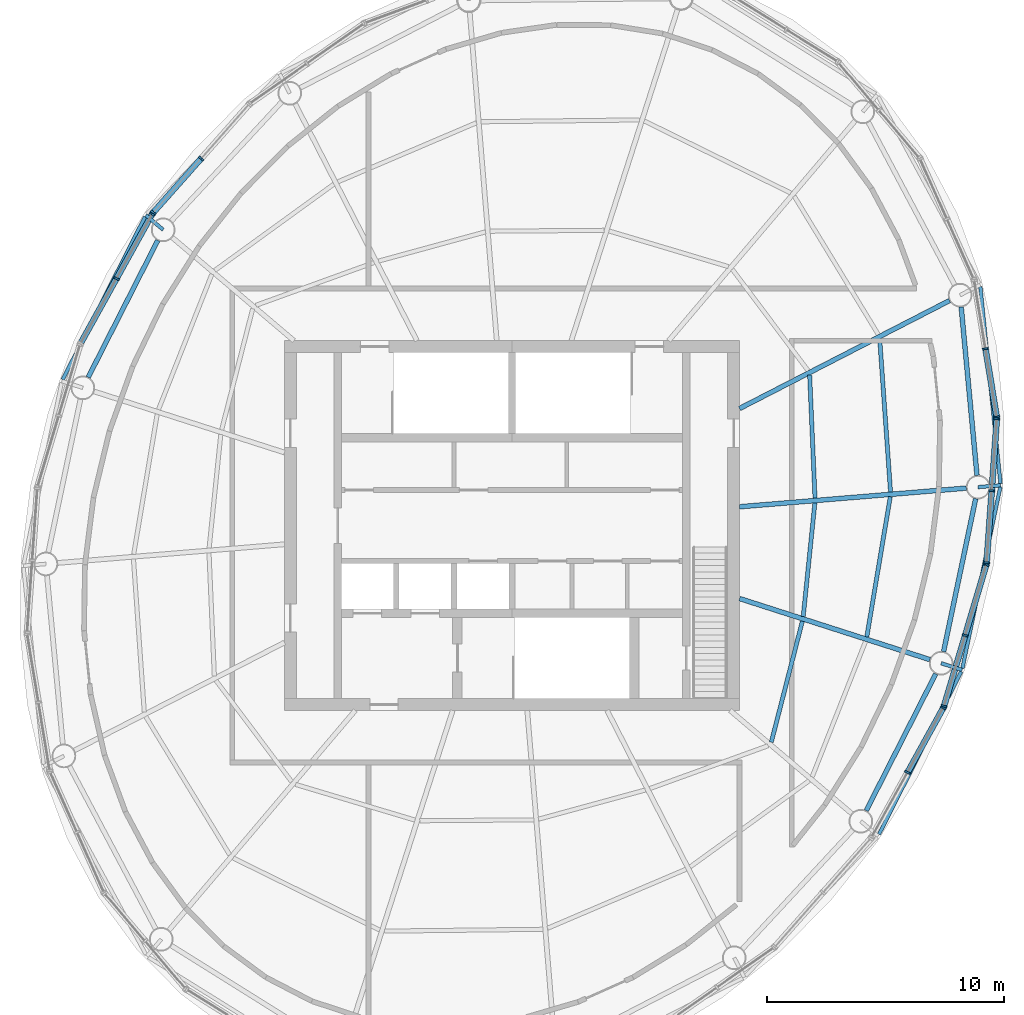
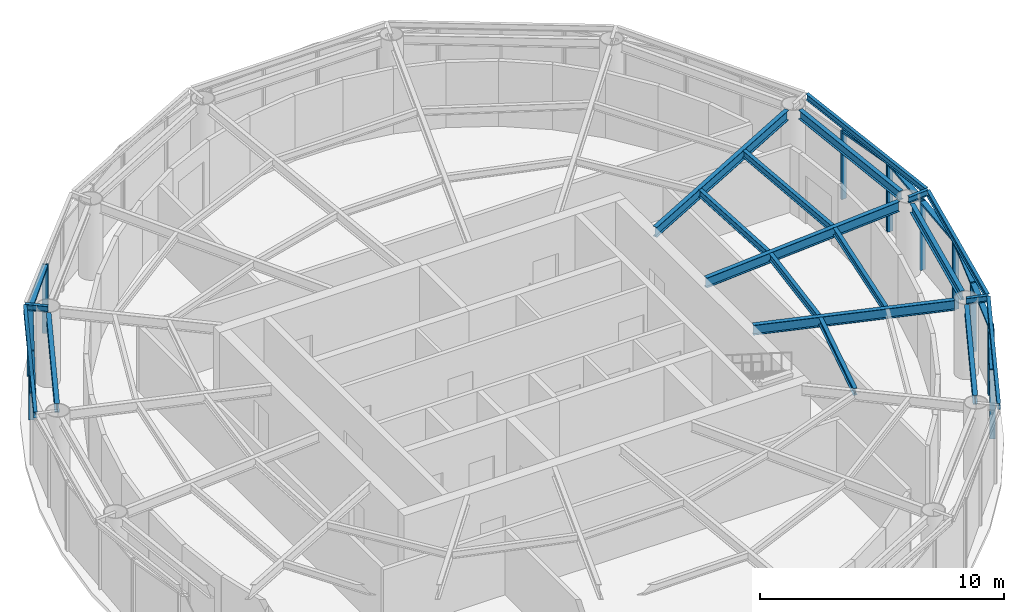
# One storey, part 4 of 11: 23 members, 19 beams, 6 elements without a shape of their own.
"""IFC4 building model written with IfcOpenShell, lengths in metres."""

from ifc_helpers import new_model, si_unit, direction, frame, origin, origin_2d, place, context, subcontext, project, spatial, rectangle, i_section, extrude, material, material_profile, profile_set, type_object, element, aggregate, save


model = new_model("IFC4")

# Units and contexts
model_context = context("Model", 3, precision=1e-05, world=origin(), true_north=direction((0.0, 1.0)))
body_context = subcontext(model_context, "Body", "Model", "MODEL_VIEW")
ifc_project = project(units=[si_unit("LENGTHUNIT", "METRE"), si_unit("AREAUNIT", "SQUARE_METRE"), si_unit("VOLUMEUNIT", "CUBIC_METRE"), si_unit("PLANEANGLEUNIT", "RADIAN"), si_unit("MASSUNIT", "GRAM", prefix="KILO")], contexts=[model_context])

# Site, building, storey
site_placement = place(None, origin())
site = spatial("IfcSite", under=ifc_project, at=site_placement, CompositionType="ELEMENT")
building_placement = place(site_placement, origin())
building = spatial("IfcBuilding", under=site, at=building_placement, Name="Vermilion Reach Broadcast Tower", CompositionType="ELEMENT")
storey_placement = place(building_placement, frame((0.0, 0.0, 325.5)))
storey = spatial("IfcBuildingStorey", under=building, at=storey_placement, Name="L81 CROWN", CompositionType="ELEMENT", Elevation=325.5)

# Curtain wall, members
ifc_material_1 = material(Name="Low-e laminated clear glass in aluminium frame", Category="aluminium")
curtain_wall_type = type_object("IfcCurtainWallType", Name="Crown glazing curtain wall", PredefinedType="NOTDEFINED", material=ifc_material_1)
placement = place(storey_placement, origin())
curtain_wall_1 = element("IfcCurtainWall", 1, at=placement, inside=storey, type_object=curtain_wall_type, Name="Crown glazing L81 CROWN 05", PredefinedType="NOTDEFINED")
ifc_material_2 = material(Name="Anodised aluminium", Category="aluminium")
ifc_material_profile_1 = material_profile(ifc_material_2, rectangle(XDim=0.25, YDim=0.080078125, at=origin_2d()), Name="Crown glazing mullion 80 x 250")
ifc_profile_set_1 = profile_set([ifc_material_profile_1], Name="Anodised aluminium")
member_type_1 = type_object("IfcMemberType", Name="Crown glazing mullion 80 x 250", PredefinedType="MULLION", material=ifc_profile_set_1)
member_1_placement = place(storey_placement, frame((-19.11669921875, 15.484619140625, 0.0), z_axis=(0.0, 0.0, 1.0), x_axis=(0.748407682668, -0.663238976934, 0.0)))
member_1 = element("IfcMember", 2, at=member_1_placement, type_object=member_type_1, Name="Crown glazing mullion L81 CROWN 05.2", PredefinedType="MULLION", context=body_context, shape_type="SweptSolid", body=[
    extrude(rectangle(XDim=0.25, YDim=0.080078125, at=origin_2d()), origin(), (0.0, 0.0, 1.0), 3.449951171875),
])
member_2_placement = place(storey_placement, frame((-21.135498046875, 13.20654296875, 0.0), z_axis=(0.0, 0.0, 1.0), x_axis=(0.748407682668, -0.663238976934, 0.0)))
member_2 = element("IfcMember", 3, at=member_2_placement, type_object=member_type_1, Name="Crown glazing mullion L81 CROWN 05.3", PredefinedType="MULLION", context=body_context, shape_type="SweptSolid", body=[
    extrude(rectangle(XDim=0.25, YDim=0.080078125, at=origin_2d()), origin(), (0.0, 0.0, 1.0), 3.449951171875),
])

curtain_wall_2 = element("IfcCurtainWall", 4, at=placement, inside=storey, type_object=curtain_wall_type, Name="Crown glazing L81 CROWN 06", PredefinedType="NOTDEFINED")
member_3_placement = place(storey_placement, frame((-21.181396484375, 13.1416015625, 0.0), z_axis=(0.0, 0.0, 1.0), x_axis=(0.874983200268, -0.484153280738, 0.0)))
member_3 = element("IfcMember", 5, at=member_3_placement, type_object=member_type_1, Name="Crown glazing mullion L81 CROWN 06.1", PredefinedType="MULLION", context=body_context, shape_type="SweptSolid", body=[
    extrude(rectangle(XDim=0.25, YDim=0.080078125, at=origin_2d()), origin(), (0.0, 0.0, 1.0), 3.449951171875),
])
member_4_placement = place(storey_placement, frame((-22.68896484375, 10.4169921875, 0.0), z_axis=(0.0, 0.0, 1.0), x_axis=(0.874983200268, -0.484153280738, 0.0)))
member_4 = element("IfcMember", 6, at=member_4_placement, type_object=member_type_1, Name="Crown glazing mullion L81 CROWN 06.2", PredefinedType="MULLION", context=body_context, shape_type="SweptSolid", body=[
    extrude(rectangle(XDim=0.25, YDim=0.080078125, at=origin_2d()), origin(), (0.0, 0.0, 1.0), 3.449951171875),
])

curtain_wall_3 = element("IfcCurtainWall", 7, at=placement, inside=storey, type_object=curtain_wall_type, Name="Crown glazing L81 CROWN 18", PredefinedType="NOTDEFINED")
member_5_placement = place(storey_placement, frame((10.68896484375, -10.4169921875, 0.0), z_axis=(0.0, 0.0, 1.0), x_axis=(-0.874983200268, 0.484153280738, 0.0)))
member_5 = element("IfcMember", 8, at=member_5_placement, type_object=member_type_1, Name="Crown glazing mullion L81 CROWN 18.2", PredefinedType="MULLION", context=body_context, shape_type="SweptSolid", body=[
    extrude(rectangle(XDim=0.25, YDim=0.080078125, at=origin_2d()), origin(), (0.0, 0.0, 1.0), 3.449951171875),
])
member_6_placement = place(storey_placement, frame((12.196533203125, -7.6923828125, 0.0), z_axis=(0.0, 0.0, 1.0), x_axis=(-0.874983200268, 0.484153280738, 0.0)))
member_6 = element("IfcMember", 9, at=member_6_placement, type_object=member_type_1, Name="Crown glazing mullion L81 CROWN 18.3", PredefinedType="MULLION", context=body_context, shape_type="SweptSolid", body=[
    extrude(rectangle(XDim=0.25, YDim=0.080078125, at=origin_2d()), origin(), (0.0, 0.0, 1.0), 3.449951171875),
])

curtain_wall_4 = element("IfcCurtainWall", 10, at=placement, inside=storey, type_object=curtain_wall_type, Name="Crown glazing L81 CROWN 19", PredefinedType="NOTDEFINED")
member_7_placement = place(storey_placement, frame((12.2275390625, -7.618896484375, 0.0), z_axis=(0.0, 0.0, 1.0), x_axis=(-0.958107940789, 0.286407356394, 0.0)))
member_7 = element("IfcMember", 11, at=member_7_placement, type_object=member_type_1, Name="Crown glazing mullion L81 CROWN 19.1", PredefinedType="MULLION", context=body_context, shape_type="SweptSolid", body=[
    extrude(rectangle(XDim=0.25, YDim=0.080078125, at=origin_2d()), origin(), (0.0, 0.0, 1.0), 3.449951171875),
])
member_8_placement = place(storey_placement, frame((13.119384765625, -4.635498046875, 0.0), z_axis=(0.0, 0.0, 1.0), x_axis=(-0.958107940789, 0.286407356394, 0.0)))
member_8 = element("IfcMember", 12, at=member_8_placement, type_object=member_type_1, Name="Crown glazing mullion L81 CROWN 19.2", PredefinedType="MULLION", context=body_context, shape_type="SweptSolid", body=[
    extrude(rectangle(XDim=0.25, YDim=0.080078125, at=origin_2d()), origin(), (0.0, 0.0, 1.0), 3.449951171875),
])
member_9_placement = place(storey_placement, frame((14.01123046875, -1.65185546875, 0.0), z_axis=(0.0, 0.0, 1.0), x_axis=(-0.958107940789, 0.286407356394, 0.0)))
member_9 = element("IfcMember", 13, at=member_9_placement, type_object=member_type_1, Name="Crown glazing mullion L81 CROWN 19.3", PredefinedType="MULLION", context=body_context, shape_type="SweptSolid", body=[
    extrude(rectangle(XDim=0.25, YDim=0.080078125, at=origin_2d()), origin(), (0.0, 0.0, 1.0), 3.449951171875),
])

curtain_wall_5 = element("IfcCurtainWall", 14, at=placement, inside=storey, type_object=curtain_wall_type, Name="Crown glazing L81 CROWN 20", PredefinedType="NOTDEFINED")
member_10_placement = place(storey_placement, frame((14.025390625, -1.57373046875, 0.0), z_axis=(0.0, 0.0, 1.0), x_axis=(-0.997499557729, 0.070672712769, 0.0)))
member_10 = element("IfcMember", 15, at=member_10_placement, type_object=member_type_1, Name="Crown glazing mullion L81 CROWN 20.1", PredefinedType="MULLION", context=body_context, shape_type="SweptSolid", body=[
    extrude(rectangle(XDim=0.25, YDim=0.080078125, at=origin_2d()), origin(), (0.0, 0.0, 1.0), 3.449951171875),
])
member_11_placement = place(storey_placement, frame((14.240478515625, 1.46240234375, 0.0), z_axis=(0.0, 0.0, 1.0), x_axis=(-0.997499557729, 0.070672712769, 0.0)))
member_11 = element("IfcMember", 16, at=member_11_placement, type_object=member_type_1, Name="Crown glazing mullion L81 CROWN 20.2", PredefinedType="MULLION", context=body_context, shape_type="SweptSolid", body=[
    extrude(rectangle(XDim=0.25, YDim=0.080078125, at=origin_2d()), origin(), (0.0, 0.0, 1.0), 3.449951171875),
])
member_12_placement = place(storey_placement, frame((14.455810546875, 4.49853515625, 0.0), z_axis=(0.0, 0.0, 1.0), x_axis=(-0.997499557729, 0.070672712769, 0.0)))
member_12 = element("IfcMember", 17, at=member_12_placement, type_object=member_type_1, Name="Crown glazing mullion L81 CROWN 20.3", PredefinedType="MULLION", context=body_context, shape_type="SweptSolid", body=[
    extrude(rectangle(XDim=0.25, YDim=0.080078125, at=origin_2d()), origin(), (0.0, 0.0, 1.0), 3.449951171875),
])

curtain_wall_6 = element("IfcCurtainWall", 18, at=placement, inside=storey, type_object=curtain_wall_type, Name="Crown glazing L81 CROWN 21", PredefinedType="NOTDEFINED")
member_13_placement = place(storey_placement, frame((14.451904296875, 4.577880859375, 0.0), z_axis=(0.0, 0.0, 1.0), x_axis=(-0.986689101121, -0.162618011697, 0.0)))
member_13 = element("IfcMember", 19, at=member_13_placement, type_object=member_type_1, Name="Crown glazing mullion L81 CROWN 21.1", PredefinedType="MULLION", context=body_context, shape_type="SweptSolid", body=[
    extrude(rectangle(XDim=0.25, YDim=0.080078125, at=origin_2d()), origin(), (0.0, 0.0, 1.0), 3.449951171875),
])
member_14_placement = place(storey_placement, frame((13.9775390625, 7.456787109375, 0.0), z_axis=(0.0, 0.0, 1.0), x_axis=(-0.986689101121, -0.162618011697, 0.0)))
member_14 = element("IfcMember", 20, at=member_14_placement, type_object=member_type_1, Name="Crown glazing mullion L81 CROWN 21.2", PredefinedType="MULLION", context=body_context, shape_type="SweptSolid", body=[
    extrude(rectangle(XDim=0.25, YDim=0.080078125, at=origin_2d()), origin(), (0.0, 0.0, 1.0), 3.449951171875),
])

# Member
ifc_material_3 = material(Name="Anodised aluminium", Category="aluminium")
ifc_material_profile_2 = material_profile(ifc_material_3, rectangle(XDim=0.25, YDim=0.10009765625, at=origin_2d()), Name="Crown glazing transom 250 x 100")
ifc_profile_set_2 = profile_set([ifc_material_profile_2], Name="Anodised aluminium")
member_type_2 = type_object("IfcMemberType", Name="Crown glazing transom 250 x 100", PredefinedType="USERDEFINED", material=ifc_profile_set_2)
member_15_placement = place(storey_placement, frame((-19.143310546875, 15.45458984375, 3.39990234375), z_axis=(-0.663233067327, -0.74841291972, 0.0), x_axis=(0.74841291972, -0.663233067327, 0.0)))
member_15 = element("IfcMember", 21, at=member_15_placement, type_object=member_type_2, Name="Crown glazing transom L81 CROWN 05.2.2", ObjectType="TRANSOM", PredefinedType="USERDEFINED", context=body_context, shape_type="SweptSolid", body=[
    extrude(rectangle(XDim=0.25, YDim=0.10009765625, at=origin_2d()), origin(), (0.0, 0.0, 1.0), 2.963623046875),
])

aggregate(curtain_wall_1, [member_1, member_2, member_15])

member_16_placement = place(storey_placement, frame((-21.20068359375, 13.106689453125, 3.39990234375), z_axis=(-0.484159697597, -0.874979649605, 0.0), x_axis=(0.874979649605, -0.484159697597, 0.0)))
member_16 = element("IfcMember", 22, at=member_16_placement, type_object=member_type_2, Name="Crown glazing transom L81 CROWN 06.1.2", ObjectType="TRANSOM", PredefinedType="USERDEFINED", context=body_context, shape_type="SweptSolid", body=[
    extrude(rectangle(XDim=0.25, YDim=0.10009765625, at=origin_2d()), origin(), (0.0, 0.0, 1.0), 3.0341796875),
])

member_17_placement = place(storey_placement, frame((-22.70849609375, 10.382080078125, 3.39990234375), z_axis=(-0.484098090619, -0.875013736269, 0.0), x_axis=(0.875013736269, -0.484098090619, 0.0)))
member_17 = element("IfcMember", 23, at=member_17_placement, type_object=member_type_2, Name="Crown glazing transom L81 CROWN 06.2.2", ObjectType="TRANSOM", PredefinedType="USERDEFINED", context=body_context, shape_type="SweptSolid", body=[
    extrude(rectangle(XDim=0.25, YDim=0.10009765625, at=origin_2d()), origin(), (0.0, 0.0, 1.0), 3.033935546875),
])

aggregate(curtain_wall_2, [member_3, member_4, member_16, member_17])

member_18_placement = place(storey_placement, frame((10.70849609375, -10.382080078125, 3.39990234375), z_axis=(0.484098090619, 0.875013736269, 0.0), x_axis=(-0.875013736269, 0.484098090619, 0.0)))
member_18 = element("IfcMember", 24, at=member_18_placement, type_object=member_type_2, Name="Crown glazing transom L81 CROWN 18.2.2", ObjectType="TRANSOM", PredefinedType="USERDEFINED", context=body_context, shape_type="SweptSolid", body=[
    extrude(rectangle(XDim=0.25, YDim=0.10009765625, at=origin_2d()), origin(), (0.0, 0.0, 1.0), 3.033935546875),
])

aggregate(curtain_wall_3, [member_5, member_6, member_18])

member_19_placement = place(storey_placement, frame((12.239013671875, -7.58056640625, 3.39990234375), z_axis=(0.286402743865, 0.958109319601, 0.0), x_axis=(-0.958109319601, 0.286402743865, 0.0)))
member_19 = element("IfcMember", 25, at=member_19_placement, type_object=member_type_2, Name="Crown glazing transom L81 CROWN 19.1.2", ObjectType="TRANSOM", PredefinedType="USERDEFINED", context=body_context, shape_type="SweptSolid", body=[
    extrude(rectangle(XDim=0.25, YDim=0.10009765625, at=origin_2d()), origin(), (0.0, 0.0, 1.0), 3.033935546875),
])

member_20_placement = place(storey_placement, frame((13.130859375, -4.59716796875, 3.39990234375), z_axis=(0.286380663338, 0.958115919744, 0.0), x_axis=(-0.958115919744, 0.286380663338, 0.0)))
member_20 = element("IfcMember", 26, at=member_20_placement, type_object=member_type_2, Name="Crown glazing transom L81 CROWN 19.2.2", ObjectType="TRANSOM", PredefinedType="USERDEFINED", context=body_context, shape_type="SweptSolid", body=[
    extrude(rectangle(XDim=0.25, YDim=0.10009765625, at=origin_2d()), origin(), (0.0, 0.0, 1.0), 3.0341796875),
])

aggregate(curtain_wall_4, [member_7, member_8, member_9, member_19, member_20])

member_21_placement = place(storey_placement, frame((14.0283203125, -1.533935546875, 3.39990234375), z_axis=(0.07067918302, 0.997499099292, 0.0), x_axis=(-0.997499099292, 0.07067918302, 0.0)))
member_21 = element("IfcMember", 27, at=member_21_placement, type_object=member_type_2, Name="Crown glazing transom L81 CROWN 20.1.2", ObjectType="TRANSOM", PredefinedType="USERDEFINED", context=body_context, shape_type="SweptSolid", body=[
    extrude(rectangle(XDim=0.25, YDim=0.10009765625, at=origin_2d()), origin(), (0.0, 0.0, 1.0), 2.963623046875),
])

member_22_placement = place(storey_placement, frame((14.243408203125, 1.502197265625, 3.39990234375), z_axis=(0.07067918302, 0.997499099292, 0.0), x_axis=(-0.997499099292, 0.07067918302, 0.0)))
member_22 = element("IfcMember", 28, at=member_22_placement, type_object=member_type_2, Name="Crown glazing transom L81 CROWN 20.2.2", ObjectType="TRANSOM", PredefinedType="USERDEFINED", context=body_context, shape_type="SweptSolid", body=[
    extrude(rectangle(XDim=0.25, YDim=0.10009765625, at=origin_2d()), origin(), (0.0, 0.0, 1.0), 2.963623046875),
])

aggregate(curtain_wall_5, [member_10, member_11, member_12, member_21, member_22])

member_23_placement = place(storey_placement, frame((14.445556640625, 4.6171875, 3.39990234375), z_axis=(-0.162599033258, 0.986692228805, 0.0), x_axis=(-0.986692228805, -0.162599033258, 0.0)))
member_23 = element("IfcMember", 29, at=member_23_placement, type_object=member_type_2, Name="Crown glazing transom L81 CROWN 21.1.2", ObjectType="TRANSOM", PredefinedType="USERDEFINED", context=body_context, shape_type="SweptSolid", body=[
    extrude(rectangle(XDim=0.25, YDim=0.10009765625, at=origin_2d()), origin(), (0.0, 0.0, 1.0), 2.837890625),
])

aggregate(curtain_wall_6, [member_13, member_14, member_23])

# Beams
ifc_material_4 = material(Name="Steel S355J2", Category="steel")
ifc_material_profile_3 = material_profile(ifc_material_4, i_section(OverallWidth=0.14990234375, OverallDepth=0.300048828125, WebThickness=0.006591796875, FlangeThickness=0.009033203125, at=origin_2d()), Name="S355J2 HN 300x150x6.5x9")
ifc_profile_set_3 = profile_set([ifc_material_profile_3], Name="Steel S355J2")
beam_type_1 = type_object("IfcBeamType", Name="EB5 HN 300x150x6.5x9", PredefinedType="BEAM", material=ifc_profile_set_3)
for number, where, z_axis, x_axis, name in (
    (30, (-21.48291015625, 13.02734375, 3.60009765625), (-0.451232435887, -0.892406459414, 0.0), (0.892406459414, -0.451232435887, 0.0), "Edge beam EB5-04"),
    (31, (9.48291015625, -13.02734375, 3.60009765625), (0.451232435887, 0.892406459414, 0.0), (-0.892406459414, 0.451232435887, 0.0), "Edge beam EB5-12"),
):
    element("IfcBeam", number, at=place(storey_placement, frame(where, z_axis=z_axis, x_axis=x_axis)), inside=storey, type_object=beam_type_1, Name=name, PredefinedType="BEAM", context=body_context, shape_type="SweptSolid", body=[
        extrude(i_section(OverallWidth=0.14990234375, OverallDepth=0.300048828125, WebThickness=0.006591796875, FlangeThickness=0.009033203125, at=origin_2d()), origin(), (0.0, 0.0, 1.0), 7.6943359375),
    ])
beam_1_placement = place(storey_placement, frame((13.00439453125, -6.019287109375, 3.60009765625), z_axis=(0.204738436734, 0.978816720599, 0.0), x_axis=(-0.978816720599, 0.204738436734, 0.0)))
element("IfcBeam", 32, at=beam_1_placement, inside=storey, type_object=beam_type_1, Name="Edge beam EB5-13", PredefinedType="BEAM", context=body_context, shape_type="SweptSolid", body=[
    extrude(i_section(OverallWidth=0.14990234375, OverallDepth=0.300048828125, WebThickness=0.006591796875, FlangeThickness=0.009033203125, at=origin_2d()), origin(), (0.0, 0.0, 1.0), 7.806884765625),
])
beam_2_placement = place(storey_placement, frame((14.611083984375, 1.7734375, 3.60009765625), z_axis=(-0.102011792202, 0.99478318957, 0.0), x_axis=(-0.99478318957, -0.102011792202, 0.0)))
element("IfcBeam", 33, at=beam_2_placement, inside=storey, type_object=beam_type_1, Name="Edge beam EB5-14", PredefinedType="BEAM", context=body_context, shape_type="SweptSolid", body=[
    extrude(i_section(OverallWidth=0.14990234375, OverallDepth=0.300048828125, WebThickness=0.006591796875, FlangeThickness=0.009033203125, at=origin_2d()), origin(), (0.0, 0.0, 1.0), 8.34521484375),
])
ifc_material_5 = material(Name="Steel S355J2", Category="steel")
ifc_material_profile_4 = material_profile(ifc_material_5, i_section(OverallWidth=0.199951171875, OverallDepth=0.5, WebThickness=0.010009765625, FlangeThickness=0.01611328125, at=origin_2d()), Name="S355J2 HN 500x200x10x16")
ifc_profile_set_4 = profile_set([ifc_material_profile_4], Name="Steel S355J2")
beam_type_2 = type_object("IfcBeamType", Name="G5 HN 500x200x10x16", PredefinedType="BEAM", material=ifc_profile_set_4)
beam_3_placement = place(storey_placement, frame((3.60009765625, -3.080322265625, 3.5), z_axis=(0.952178453449, -0.305542456604, 0.0), x_axis=(0.305542456604, 0.952178453449, 0.0)))
element("IfcBeam", 34, at=beam_3_placement, inside=storey, type_object=beam_type_2, Name="Girder G5-13", PredefinedType="BEAM", context=body_context, shape_type="SweptSolid", body=[
    extrude(i_section(OverallWidth=0.199951171875, OverallDepth=0.5, WebThickness=0.010009765625, FlangeThickness=0.01611328125, at=origin_2d()), origin(), (0.0, 0.0, 1.0), 8.43310546875),
])
beam_4_placement = place(storey_placement, frame((3.60009765625, 0.791015625, 3.5), z_axis=(0.996624410075, 0.082096195058, 0.0), x_axis=(-0.082096195058, 0.996624410075, 0.0)))
element("IfcBeam", 35, at=beam_4_placement, inside=storey, type_object=beam_type_2, Name="Girder G5-14", PredefinedType="BEAM", context=body_context, shape_type="SweptSolid", body=[
    extrude(i_section(OverallWidth=0.199951171875, OverallDepth=0.5, WebThickness=0.010009765625, FlangeThickness=0.01611328125, at=origin_2d()), origin(), (0.0, 0.0, 1.0), 9.599609375),
])
beam_5_placement = place(storey_placement, frame((3.60009765625, 4.935791015625, 3.5), z_axis=(0.889332502449, 0.457261085254, 0.0), x_axis=(-0.457261085254, 0.889332502449, 0.0)))
element("IfcBeam", 36, at=beam_5_placement, inside=storey, type_object=beam_type_2, Name="Girder G5-15", PredefinedType="BEAM", context=body_context, shape_type="SweptSolid", body=[
    extrude(i_section(OverallWidth=0.199951171875, OverallDepth=0.5, WebThickness=0.010009765625, FlangeThickness=0.01611328125, at=origin_2d()), origin(), (0.0, 0.0, 1.0), 9.96337890625),
])
ifc_material_6 = material(Name="Steel S355J2", Category="steel")
ifc_material_profile_5 = material_profile(ifc_material_6, i_section(OverallWidth=0.14990234375, OverallDepth=0.300048828125, WebThickness=0.006591796875, FlangeThickness=0.009033203125, at=origin_2d()), Name="S355J2 HN 300x150x6.5x9")
ifc_profile_set_5 = profile_set([ifc_material_profile_5], Name="Steel S355J2")
beam_type_3 = type_object("IfcBeamType", Name="GS5 HN 300x150x6.5x9", PredefinedType="BEAM", material=ifc_profile_set_5)
beam_6_placement = place(storey_placement, frame((-20.717529296875, 12.476806640625, 3.60009765625), z_axis=(-0.762718692688, 0.64673038882, 0.0), x_axis=(-0.64673038882, -0.762718692688, 0.0)))
element("IfcBeam", 37, at=beam_6_placement, inside=storey, type_object=beam_type_3, Name="Cantilever stub GS5-04", PredefinedType="BEAM", context=body_context, shape_type="SweptSolid", body=[
    extrude(i_section(OverallWidth=0.14990234375, OverallDepth=0.300048828125, WebThickness=0.006591796875, FlangeThickness=0.009033203125, at=origin_2d()), origin(), (0.0, 0.0, 1.0), 0.957763671875),
])
beam_7_placement = place(storey_placement, frame((12.10595703125, -5.809814453125, 3.60009765625), z_axis=(0.952228317443, -0.305387019141, 0.0), x_axis=(0.305387019141, 0.952228317443, 0.0)))
element("IfcBeam", 38, at=beam_7_placement, inside=storey, type_object=beam_type_3, Name="Cantilever stub GS5-13", PredefinedType="BEAM", context=body_context, shape_type="SweptSolid", body=[
    extrude(i_section(OverallWidth=0.14990234375, OverallDepth=0.300048828125, WebThickness=0.006591796875, FlangeThickness=0.009033203125, at=origin_2d()), origin(), (0.0, 0.0, 1.0), 0.92724609375),
])
beam_8_placement = place(storey_placement, frame((13.665771484375, 1.620361328125, 3.60009765625), z_axis=(0.996634988565, 0.081967673925, 0.0), x_axis=(-0.081967673925, 0.996634988565, 0.0)))
element("IfcBeam", 39, at=beam_8_placement, inside=storey, type_object=beam_type_3, Name="Cantilever stub GS5-14", PredefinedType="BEAM", context=body_context, shape_type="SweptSolid", body=[
    extrude(i_section(OverallWidth=0.14990234375, OverallDepth=0.300048828125, WebThickness=0.006591796875, FlangeThickness=0.009033203125, at=origin_2d()), origin(), (0.0, 0.0, 1.0), 0.9560546875),
])
ifc_material_7 = material(Name="Steel S355J2", Category="steel")
ifc_material_profile_6 = material_profile(ifc_material_7, i_section(OverallWidth=0.199951171875, OverallDepth=0.449951171875, WebThickness=0.009033203125, FlangeThickness=0.013916015625, at=origin_2d()), Name="S355J2 HN 450x200x9x14")
ifc_profile_set_6 = profile_set([ifc_material_profile_6], Name="Steel S355J2")
beam_type_4 = type_object("IfcBeamType", Name="RB5 HN 450x200x9x14", PredefinedType="BEAM", material=ifc_profile_set_6)
for number, where, z_axis, x_axis, name in (
    (40, (-20.944091796875, 12.03125, 3.52490234375), (-0.453052302855, -0.891483937532, 0.0), (0.891483937532, -0.453052302855, 0.0), "Ring beam RB5-04"),
    (41, (8.944091796875, -12.03125, 3.52490234375), (0.453052302855, 0.891483937532, 0.0), (-0.891483937532, 0.453052302855, 0.0), "Ring beam RB5-12"),
):
    element("IfcBeam", number, at=place(storey_placement, frame(where, z_axis=z_axis, x_axis=x_axis)), inside=storey, type_object=beam_type_4, Name=name, PredefinedType="BEAM", context=body_context, shape_type="SweptSolid", body=[
        extrude(i_section(OverallWidth=0.199951171875, OverallDepth=0.449951171875, WebThickness=0.009033203125, FlangeThickness=0.013916015625, at=origin_2d()), origin(), (0.0, 0.0, 1.0), 6.47900390625),
    ])
beam_9_placement = place(storey_placement, frame((12.208740234375, -5.3203125, 3.52490234375), z_axis=(0.205444869285, 0.978668690459, 0.0), x_axis=(-0.978668690459, 0.205444869285, 0.0)))
element("IfcBeam", 42, at=beam_9_placement, inside=storey, type_object=beam_type_4, Name="Ring beam RB5-13", PredefinedType="BEAM", context=body_context, shape_type="SweptSolid", body=[
    extrude(i_section(OverallWidth=0.199951171875, OverallDepth=0.449951171875, WebThickness=0.009033203125, FlangeThickness=0.013916015625, at=origin_2d()), origin(), (0.0, 0.0, 1.0), 6.591796875),
])
beam_10_placement = place(storey_placement, frame((13.618896484375, 2.1181640625, 3.52490234375), z_axis=(-0.093441399272, 0.995624781181, 0.0), x_axis=(-0.995624781181, -0.093441399272, 0.0)))
element("IfcBeam", 43, at=beam_10_placement, inside=storey, type_object=beam_type_4, Name="Ring beam RB5-14", PredefinedType="BEAM", context=body_context, shape_type="SweptSolid", body=[
    extrude(i_section(OverallWidth=0.199951171875, OverallDepth=0.449951171875, WebThickness=0.009033203125, FlangeThickness=0.013916015625, at=origin_2d()), origin(), (0.0, 0.0, 1.0), 7.135498046875),
])
ifc_material_8 = material(Name="Steel S355J2", Category="steel")
ifc_material_profile_7 = material_profile(ifc_material_8, i_section(OverallWidth=0.175048828125, OverallDepth=0.35009765625, WebThickness=0.007080078125, FlangeThickness=0.010986328125, at=origin_2d()), Name="S355J2 HN 350x175x7x11")
ifc_profile_set_7 = profile_set([ifc_material_profile_7], Name="Steel S355J2")
beam_type_5 = type_object("IfcBeamType", Name="SB5 HN 350x175x7x11", PredefinedType="BEAM", material=ifc_profile_set_7)
beam_11_placement = place(storey_placement, frame((4.940185546875, -9.1435546875, 3.574951171875), z_axis=(0.248729575729, 0.968572969971, 0.0), x_axis=(-0.968572969971, 0.248729575729, 0.0)))
element("IfcBeam", 44, at=beam_11_placement, inside=storey, type_object=beam_type_5, Name="Secondary beam SB5-12-1", PredefinedType="BEAM", context=body_context, shape_type="SweptSolid", body=[
    extrude(i_section(OverallWidth=0.175048828125, OverallDepth=0.35009765625, WebThickness=0.007080078125, FlangeThickness=0.010986328125, at=origin_2d()), origin(), (0.0, 0.0, 1.0), 5.27294921875),
])
beam_12_placement = place(storey_placement, frame((6.287109375, -3.837646484375, 3.574951171875), z_axis=(0.102113775264, 0.994772726255, 0.0), x_axis=(-0.994772726255, 0.102113775264, 0.0)))
element("IfcBeam", 45, at=beam_12_placement, inside=storey, type_object=beam_type_5, Name="Secondary beam SB5-13-1", PredefinedType="BEAM", context=body_context, shape_type="SweptSolid", body=[
    extrude(i_section(OverallWidth=0.175048828125, OverallDepth=0.35009765625, WebThickness=0.007080078125, FlangeThickness=0.010986328125, at=origin_2d()), origin(), (0.0, 0.0, 1.0), 4.815185546875),
])
beam_13_placement = place(storey_placement, frame((8.969970703125, -4.698486328125, 3.574951171875), z_axis=(0.16532337011, 0.986239414795, 0.0), x_axis=(-0.986239414795, 0.16532337011, 0.0)))
element("IfcBeam", 46, at=beam_13_placement, inside=storey, type_object=beam_type_5, Name="Secondary beam SB5-13-2", PredefinedType="BEAM", context=body_context, shape_type="SweptSolid", body=[
    extrude(i_section(OverallWidth=0.175048828125, OverallDepth=0.35009765625, WebThickness=0.007080078125, FlangeThickness=0.010986328125, at=origin_2d()), origin(), (0.0, 0.0, 1.0), 5.99560546875),
])
beam_14_placement = place(storey_placement, frame((6.78466796875, 1.153564453125, 3.574951171875), z_axis=(-0.043557530017, 0.999050920413, 0.0), x_axis=(-0.999050920413, -0.043557530017, 0.0)))
element("IfcBeam", 47, at=beam_14_placement, inside=storey, type_object=beam_type_5, Name="Secondary beam SB5-14-1", PredefinedType="BEAM", context=body_context, shape_type="SweptSolid", body=[
    extrude(i_section(OverallWidth=0.175048828125, OverallDepth=0.35009765625, WebThickness=0.007080078125, FlangeThickness=0.010986328125, at=origin_2d()), origin(), (0.0, 0.0, 1.0), 5.19580078125),
])
beam_15_placement = place(storey_placement, frame((9.97119140625, 1.416259765625, 3.574951171875), z_axis=(-0.070586780458, 0.997505642302, 0.0), x_axis=(-0.997505642302, -0.070586780458, 0.0)))
element("IfcBeam", 48, at=beam_15_placement, inside=storey, type_object=beam_type_5, Name="Secondary beam SB5-14-2", PredefinedType="BEAM", context=body_context, shape_type="SweptSolid", body=[
    extrude(i_section(OverallWidth=0.175048828125, OverallDepth=0.35009765625, WebThickness=0.007080078125, FlangeThickness=0.010986328125, at=origin_2d()), origin(), (0.0, 0.0, 1.0), 6.46435546875),
])

save(model, "model.ifc")
